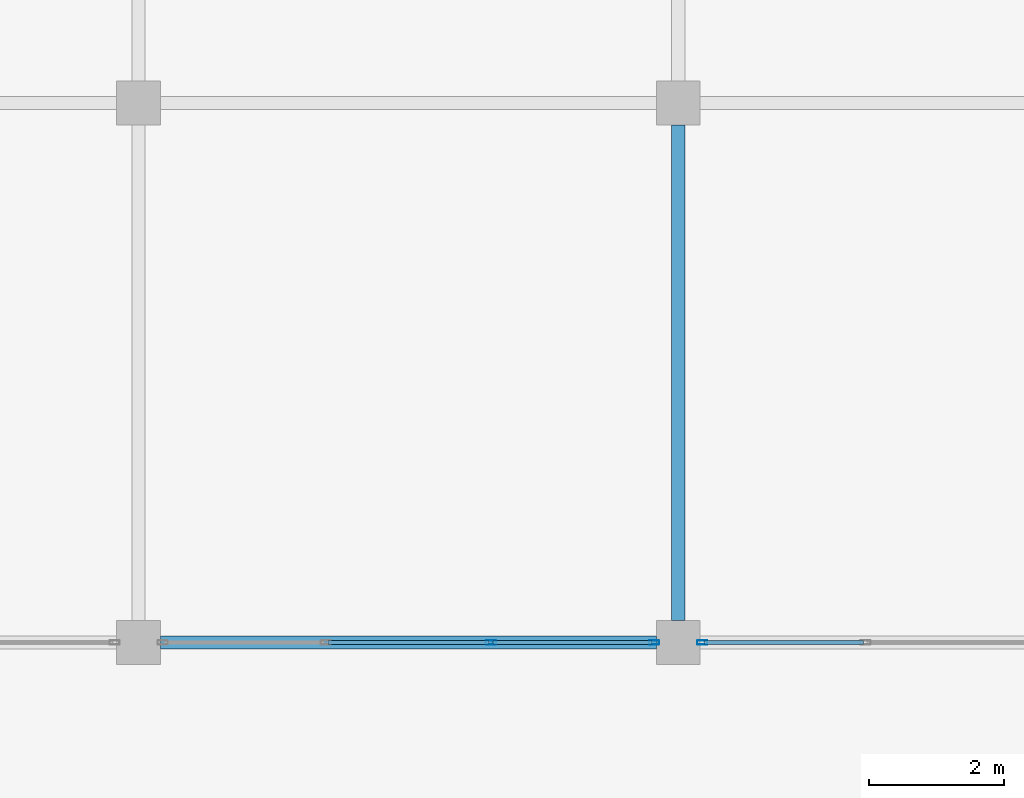
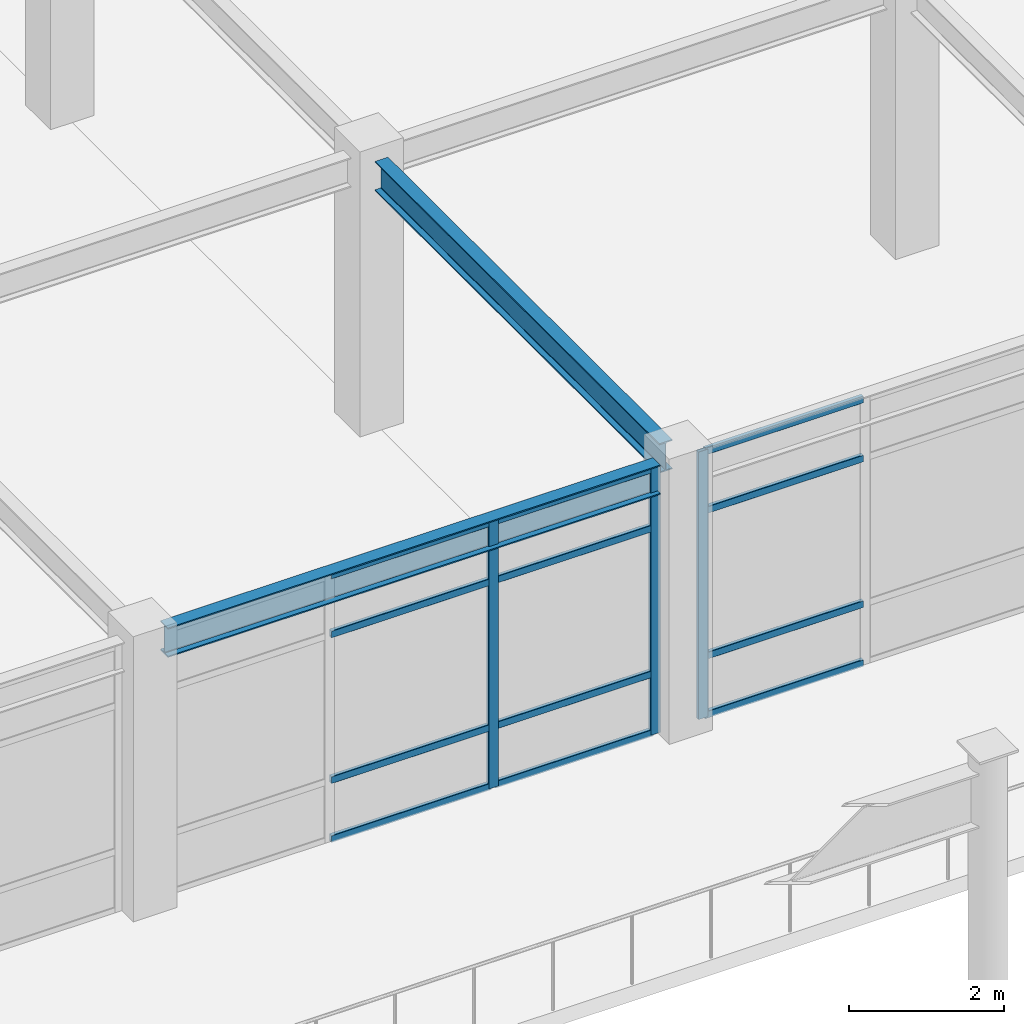
# One storey, part 44 of 78: 15 members, 2 beams, 2 elements without a shape of their own.
"""IFC4 building model written with IfcOpenShell, lengths in metres."""

from ifc_helpers import new_model, si_unit, direction, frame, origin, origin_2d, place, context, subcontext, project, spatial, hollow_rectangle, i_section, extrude, material, material_profile, profile_set, type_object, element, aggregate, save


model = new_model("IFC4")

# Units and contexts
model_context = context("Model", 3, precision=1e-05, world=origin(), true_north=direction((0.0, 1.0)))
body_context = subcontext(model_context, "Body", "Model", "MODEL_VIEW")
ifc_project = project(units=[si_unit("LENGTHUNIT", "METRE"), si_unit("AREAUNIT", "SQUARE_METRE"), si_unit("VOLUMEUNIT", "CUBIC_METRE"), si_unit("PLANEANGLEUNIT", "RADIAN"), si_unit("MASSUNIT", "GRAM", prefix="KILO")], contexts=[model_context])

# Site, building, storey
site_placement = place(None, origin())
site = spatial("IfcSite", under=ifc_project, at=site_placement, CompositionType="ELEMENT")
building_placement = place(site_placement, origin())
building = spatial("IfcBuilding", under=site, at=building_placement, Name="Solmirada Galleria", CompositionType="ELEMENT")
storey_placement = place(building_placement, frame((0.0, 0.0, 23.89990234375)))
storey = spatial("IfcBuildingStorey", under=building, at=storey_placement, Name="L05", CompositionType="ELEMENT", Elevation=23.89990234375)

# Beams
ifc_material_1 = material(Name="Steel S355 / ASTM A992 Grade 50", Category="steel")
ifc_material_profile_1 = material_profile(ifc_material_1, i_section(OverallWidth=0.193115234375, OverallDepth=0.466064453125, WebThickness=0.011474609375, FlangeThickness=0.01904296875, FilletRadius=0.013916015625, at=origin_2d()), Name="W18X65")
ifc_profile_set_1 = profile_set([ifc_material_profile_1], Name="Steel S355 / ASTM A992 Grade 50")
beam_type = type_object("IfcBeamType", Name="BM-GIRD-W18C", PredefinedType="BEAM", material=ifc_profile_set_1)
for number, where, z_axis, x_axis, name in (
    (1, (72.324951171875, 96.0, 4.0400390625), (1.0, 0.0, 0.0), (0.0, 1.0, 0.0), "North roof girder X=72..80"),
    (2, (80.0, 96.324951171875, 4.0400390625), (0.0, 1.0, 0.0), (-1.0, 0.0, 0.0), "North roof girder Y=96..104"),
):
    element("IfcBeam", number, at=place(storey_placement, frame(where, z_axis=z_axis, x_axis=x_axis)), inside=storey, type_object=beam_type, Name=name, PredefinedType="BEAM", context=body_context, shape_type="SweptSolid", body=[
        extrude(i_section(OverallWidth=0.193115234375, OverallDepth=0.466064453125, WebThickness=0.011474609375, FlangeThickness=0.01904296875, FilletRadius=0.013916015625, at=origin_2d()), origin(), (0.0, 0.0, 1.0), 7.35009765625),
    ])

# Curtain wall, member
ifc_material_2 = material(Name="Impact-resistant low-E double glazing", Category="glass")
curtain_wall_type = type_object("IfcCurtainWallType", Name="CW-FZ4-L05-B3-L074", PredefinedType="NOTDEFINED", material=ifc_material_2)
curtain_wall_1_placement = place(storey_placement, origin())
curtain_wall_1 = element("IfcCurtainWall", 3, at=curtain_wall_1_placement, inside=storey, type_object=curtain_wall_type, Name="Terrace and arcade storefront CW-L05-168", PredefinedType="NOTDEFINED")
ifc_material_3 = material(Name="Anodised aluminium framing", Category="aluminium")
ifc_material_profile_2 = material_profile(ifc_material_3, hollow_rectangle(XDim=0.06005859375, YDim=0.14990234375, WallThickness=0.00341796875, InnerFilletRadius=0.00341796875, OuterFilletRadius=0.007080078125, at=origin_2d()), Name="ALU-MULL-150X60")
ifc_profile_set_2 = profile_set([ifc_material_profile_2], Name="Anodised aluminium framing")
member_type_1 = type_object("IfcMemberType", Name="CW-MULL-150", PredefinedType="MULLION", material=ifc_profile_set_2)
member_1_placement = place(storey_placement, frame((80.35693359375, 96.0, 0.0), z_axis=(0.0, 0.0, 1.0), x_axis=(0.0, -1.0, 0.0)))
member_1 = element("IfcMember", 4, at=member_1_placement, type_object=member_type_1, Name="CW34 mullion 4", PredefinedType="MULLION", context=body_context, shape_type="SweptSolid", body=[
    extrude(hollow_rectangle(XDim=0.06005859375, YDim=0.14990234375, WallThickness=0.00341796875, InnerFilletRadius=0.00341796875, OuterFilletRadius=0.007080078125, at=origin_2d()), origin(), (0.0, 0.0, 1.0), 4.22021484375),
])

# Curtain wall, members
curtain_wall_2_placement = place(storey_placement, origin())
curtain_wall_2 = element("IfcCurtainWall", 5, at=curtain_wall_2_placement, inside=storey, type_object=curtain_wall_type, Name="Terrace and arcade storefront CW-L05-169", PredefinedType="NOTDEFINED")
member_2_placement = place(storey_placement, frame((79.64306640625, 96.0, 0.0), z_axis=(0.0, 0.0, 1.0), x_axis=(0.0, -1.0, 0.0)))
member_2 = element("IfcMember", 6, at=member_2_placement, type_object=member_type_1, Name="CW34 mullion 1", PredefinedType="MULLION", context=body_context, shape_type="SweptSolid", body=[
    extrude(hollow_rectangle(XDim=0.06005859375, YDim=0.14990234375, WallThickness=0.00341796875, InnerFilletRadius=0.00341796875, OuterFilletRadius=0.007080078125, at=origin_2d()), origin(), (0.0, 0.0, 1.0), 4.22021484375),
])
member_3_placement = place(storey_placement, frame((77.224365234375, 96.0, 0.0), z_axis=(0.0, 0.0, 1.0), x_axis=(0.0, -1.0, 0.0)))
member_3 = element("IfcMember", 7, at=member_3_placement, type_object=member_type_1, Name="CW34 mullion 2", PredefinedType="MULLION", context=body_context, shape_type="SweptSolid", body=[
    extrude(hollow_rectangle(XDim=0.06005859375, YDim=0.14990234375, WallThickness=0.00341796875, InnerFilletRadius=0.00341796875, OuterFilletRadius=0.007080078125, at=origin_2d()), origin(), (0.0, 0.0, 1.0), 4.22021484375),
])

# Member
ifc_material_profile_3 = material_profile(ifc_material_3, hollow_rectangle(XDim=0.06005859375, YDim=0.110107421875, WallThickness=0.003173828125, InnerFilletRadius=0.003173828125, OuterFilletRadius=0.00634765625, at=origin_2d()), Name="ALU-TRAN-110X60")
ifc_profile_set_3 = profile_set([ifc_material_profile_3], Name="Anodised aluminium framing")
member_type_2 = type_object("IfcMemberType", Name="CW-TRAN-110", PredefinedType="USERDEFINED", material=ifc_profile_set_3)
member_4_placement = place(storey_placement, frame((82.74560546875, 96.0, 0.030029296875), z_axis=(-1.0, 0.0, 0.0), x_axis=(0.0, -1.0, 0.0)))
member_4 = element("IfcMember", 8, at=member_4_placement, type_object=member_type_2, Name="CW34 transom 3.1", ObjectType="TRANSOM", PredefinedType="USERDEFINED", context=body_context, shape_type="SweptSolid", body=[
    extrude(hollow_rectangle(XDim=0.06005859375, YDim=0.110107421875, WallThickness=0.003173828125, InnerFilletRadius=0.003173828125, OuterFilletRadius=0.00634765625, at=origin_2d()), origin(), (0.0, 0.0, 1.0), 2.358642578125),
])

member_5_placement = place(storey_placement, frame((82.74560546875, 96.0, 0.960205078125), z_axis=(-1.0, 0.0, 0.0), x_axis=(0.0, -1.0, 0.0)))
member_5 = element("IfcMember", 9, at=member_5_placement, type_object=member_type_2, Name="CW34 transom 3.2", ObjectType="TRANSOM", PredefinedType="USERDEFINED", context=body_context, shape_type="SweptSolid", body=[
    extrude(hollow_rectangle(XDim=0.06005859375, YDim=0.110107421875, WallThickness=0.003173828125, InnerFilletRadius=0.003173828125, OuterFilletRadius=0.00634765625, at=origin_2d()), origin(), (0.0, 0.0, 1.0), 2.358642578125),
])

member_6_placement = place(storey_placement, frame((82.74560546875, 96.0, 3.260009765625), z_axis=(-1.0, 0.0, 0.0), x_axis=(0.0, -1.0, 0.0)))
member_6 = element("IfcMember", 10, at=member_6_placement, type_object=member_type_2, Name="CW34 transom 3.3", ObjectType="TRANSOM", PredefinedType="USERDEFINED", context=body_context, shape_type="SweptSolid", body=[
    extrude(hollow_rectangle(XDim=0.06005859375, YDim=0.110107421875, WallThickness=0.003173828125, InnerFilletRadius=0.003173828125, OuterFilletRadius=0.00634765625, at=origin_2d()), origin(), (0.0, 0.0, 1.0), 2.358642578125),
])

member_7_placement = place(storey_placement, frame((82.74560546875, 96.0, 4.190185546875), z_axis=(-1.0, 0.0, 0.0), x_axis=(0.0, -1.0, 0.0)))
member_7 = element("IfcMember", 11, at=member_7_placement, type_object=member_type_2, Name="CW34 transom 3.4", ObjectType="TRANSOM", PredefinedType="USERDEFINED", context=body_context, shape_type="SweptSolid", body=[
    extrude(hollow_rectangle(XDim=0.06005859375, YDim=0.110107421875, WallThickness=0.003173828125, InnerFilletRadius=0.003173828125, OuterFilletRadius=0.00634765625, at=origin_2d()), origin(), (0.0, 0.0, 1.0), 2.358642578125),
])

aggregate(curtain_wall_1, [member_1, member_4, member_5, member_6, member_7])

member_8_placement = place(storey_placement, frame((79.613037109375, 96.0, 0.030029296875), z_axis=(-1.0, 0.0, 0.0), x_axis=(0.0, -1.0, 0.0)))
member_8 = element("IfcMember", 12, at=member_8_placement, type_object=member_type_2, Name="CW34 transom 1.1", ObjectType="TRANSOM", PredefinedType="USERDEFINED", context=body_context, shape_type="SweptSolid", body=[
    extrude(hollow_rectangle(XDim=0.06005859375, YDim=0.110107421875, WallThickness=0.003173828125, InnerFilletRadius=0.003173828125, OuterFilletRadius=0.00634765625, at=origin_2d()), origin(), (0.0, 0.0, 1.0), 2.358642578125),
])

member_9_placement = place(storey_placement, frame((79.613037109375, 96.0, 0.960205078125), z_axis=(-1.0, 0.0, 0.0), x_axis=(0.0, -1.0, 0.0)))
member_9 = element("IfcMember", 13, at=member_9_placement, type_object=member_type_2, Name="CW34 transom 1.2", ObjectType="TRANSOM", PredefinedType="USERDEFINED", context=body_context, shape_type="SweptSolid", body=[
    extrude(hollow_rectangle(XDim=0.06005859375, YDim=0.110107421875, WallThickness=0.003173828125, InnerFilletRadius=0.003173828125, OuterFilletRadius=0.00634765625, at=origin_2d()), origin(), (0.0, 0.0, 1.0), 2.358642578125),
])

member_10_placement = place(storey_placement, frame((79.613037109375, 96.0, 3.260009765625), z_axis=(-1.0, 0.0, 0.0), x_axis=(0.0, -1.0, 0.0)))
member_10 = element("IfcMember", 14, at=member_10_placement, type_object=member_type_2, Name="CW34 transom 1.3", ObjectType="TRANSOM", PredefinedType="USERDEFINED", context=body_context, shape_type="SweptSolid", body=[
    extrude(hollow_rectangle(XDim=0.06005859375, YDim=0.110107421875, WallThickness=0.003173828125, InnerFilletRadius=0.003173828125, OuterFilletRadius=0.00634765625, at=origin_2d()), origin(), (0.0, 0.0, 1.0), 2.358642578125),
])

member_11_placement = place(storey_placement, frame((79.613037109375, 96.0, 4.190185546875), z_axis=(-1.0, 0.0, 0.0), x_axis=(0.0, -1.0, 0.0)))
member_11 = element("IfcMember", 15, at=member_11_placement, type_object=member_type_2, Name="CW34 transom 1.4", ObjectType="TRANSOM", PredefinedType="USERDEFINED", context=body_context, shape_type="SweptSolid", body=[
    extrude(hollow_rectangle(XDim=0.06005859375, YDim=0.110107421875, WallThickness=0.003173828125, InnerFilletRadius=0.003173828125, OuterFilletRadius=0.00634765625, at=origin_2d()), origin(), (0.0, 0.0, 1.0), 2.358642578125),
])

member_12_placement = place(storey_placement, frame((77.1943359375, 96.0, 0.030029296875), z_axis=(-1.0, 0.0, 0.0), x_axis=(0.0, -1.0, 0.0)))
member_12 = element("IfcMember", 16, at=member_12_placement, type_object=member_type_2, Name="CW34 transom 2.1", ObjectType="TRANSOM", PredefinedType="USERDEFINED", context=body_context, shape_type="SweptSolid", body=[
    extrude(hollow_rectangle(XDim=0.06005859375, YDim=0.110107421875, WallThickness=0.003173828125, InnerFilletRadius=0.003173828125, OuterFilletRadius=0.00634765625, at=origin_2d()), origin(), (0.0, 0.0, 1.0), 2.388671875),
])

member_13_placement = place(storey_placement, frame((77.1943359375, 96.0, 0.960205078125), z_axis=(-1.0, 0.0, 0.0), x_axis=(0.0, -1.0, 0.0)))
member_13 = element("IfcMember", 17, at=member_13_placement, type_object=member_type_2, Name="CW34 transom 2.2", ObjectType="TRANSOM", PredefinedType="USERDEFINED", context=body_context, shape_type="SweptSolid", body=[
    extrude(hollow_rectangle(XDim=0.06005859375, YDim=0.110107421875, WallThickness=0.003173828125, InnerFilletRadius=0.003173828125, OuterFilletRadius=0.00634765625, at=origin_2d()), origin(), (0.0, 0.0, 1.0), 2.388671875),
])

member_14_placement = place(storey_placement, frame((77.1943359375, 96.0, 3.260009765625), z_axis=(-1.0, 0.0, 0.0), x_axis=(0.0, -1.0, 0.0)))
member_14 = element("IfcMember", 18, at=member_14_placement, type_object=member_type_2, Name="CW34 transom 2.3", ObjectType="TRANSOM", PredefinedType="USERDEFINED", context=body_context, shape_type="SweptSolid", body=[
    extrude(hollow_rectangle(XDim=0.06005859375, YDim=0.110107421875, WallThickness=0.003173828125, InnerFilletRadius=0.003173828125, OuterFilletRadius=0.00634765625, at=origin_2d()), origin(), (0.0, 0.0, 1.0), 2.388671875),
])

member_15_placement = place(storey_placement, frame((77.1943359375, 96.0, 4.190185546875), z_axis=(-1.0, 0.0, 0.0), x_axis=(0.0, -1.0, 0.0)))
member_15 = element("IfcMember", 19, at=member_15_placement, type_object=member_type_2, Name="CW34 transom 2.4", ObjectType="TRANSOM", PredefinedType="USERDEFINED", context=body_context, shape_type="SweptSolid", body=[
    extrude(hollow_rectangle(XDim=0.06005859375, YDim=0.110107421875, WallThickness=0.003173828125, InnerFilletRadius=0.003173828125, OuterFilletRadius=0.00634765625, at=origin_2d()), origin(), (0.0, 0.0, 1.0), 2.388671875),
])

aggregate(curtain_wall_2, [member_2, member_3, member_8, member_9, member_10, member_11, member_12, member_13, member_14, member_15])

save(model, "model.ifc")
